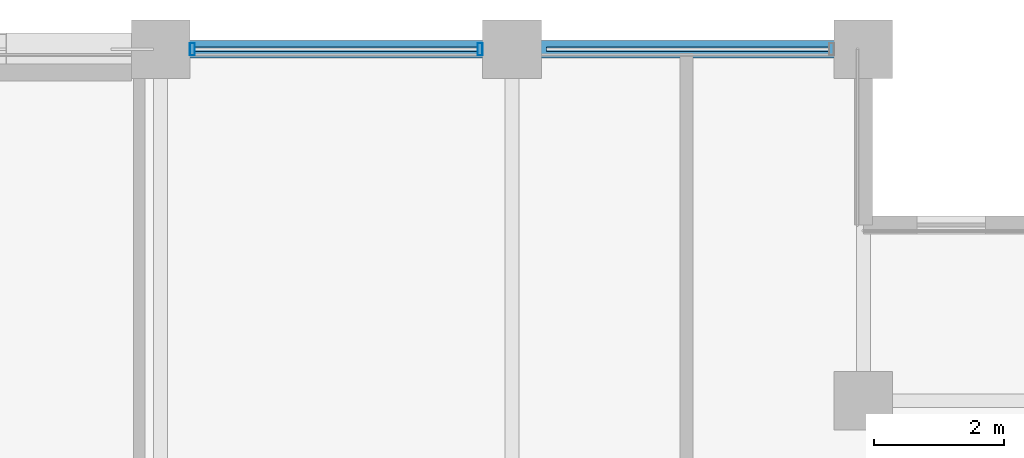
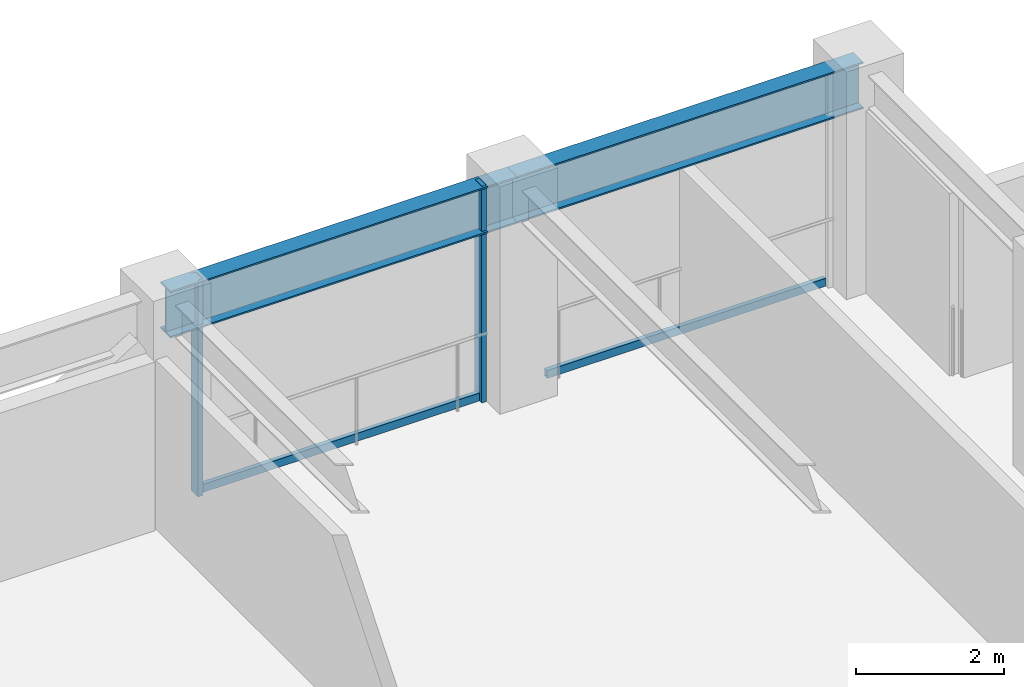
# One storey, part 21 of 36: 4 members, 2 beams, 1 element without a shape of its own.
"""IFC4 building model written with IfcOpenShell, lengths in metres."""

from ifc_helpers import new_model, si_unit, direction, frame, origin, origin_2d, place, context, subcontext, project, spatial, hollow_rectangle, i_section, extrude, material, layer, layer_set, material_profile, profile_set, type_object, element, aggregate, save


model = new_model("IFC4")

# Units and contexts
model_context = context("Model", 3, precision=1e-05, world=origin(), true_north=direction((0.0, 1.0)))
body_context = subcontext(model_context, "Body", "Model", "MODEL_VIEW")
ifc_project = project(units=[si_unit("LENGTHUNIT", "METRE"), si_unit("AREAUNIT", "SQUARE_METRE"), si_unit("VOLUMEUNIT", "CUBIC_METRE"), si_unit("PLANEANGLEUNIT", "RADIAN"), si_unit("MASSUNIT", "GRAM", prefix="KILO")], contexts=[model_context])

# Site, building, storey
site_placement = place(None, origin())
site = spatial("IfcSite", under=ifc_project, at=site_placement, CompositionType="ELEMENT")
building_placement = place(site_placement, origin())
building = spatial("IfcBuilding", under=site, at=building_placement, Name="Surkhivell Harbour Commons", CompositionType="ELEMENT")
storey_placement = place(building_placement, frame((0.0, 0.0, 171.0)))
storey = spatial("IfcBuildingStorey", under=building, at=storey_placement, Name="L44", CompositionType="ELEMENT", Elevation=171.0)

# Beams
ifc_material_1 = material(Name="Steel S355", Category="steel")
ifc_material_profile_1 = material_profile(ifc_material_1, i_section(OverallWidth=0.26806640625, OverallDepth=0.77001953125, WebThickness=0.015625, FlangeThickness=0.025390625, at=origin_2d()), Name="UB762x267x197")
ifc_profile_set_1 = profile_set([ifc_material_profile_1], Name="Steel S355")
beam_type = type_object("IfcBeamType", Name="BM-SPN-762", PredefinedType="SPANDREL", material=ifc_profile_set_1)
beam_1_placement = place(storey_placement, frame((5.39990234375, 25.89990234375, 3.18505859375), z_axis=(1.0, 0.0, 0.0), x_axis=(0.0, 1.0, 0.0)))
element("IfcBeam", 1, at=beam_1_placement, inside=storey, type_object=beam_type, Name="L44 Tube Spandrel (5.4,25.9)", PredefinedType="SPANDREL", context=body_context, shape_type="SweptSolid", body=[
    extrude(i_section(OverallWidth=0.26806640625, OverallDepth=0.77001953125, WebThickness=0.015625, FlangeThickness=0.025390625, at=origin_2d()), origin(), (0.0, 0.0, 1.0), 5.400146484375),
])
beam_2_placement = place(storey_placement, frame((10.800048828125, 25.89990234375, 3.18505859375), z_axis=(1.0, 0.0, 0.0), x_axis=(0.0, 1.0, 0.0)))
element("IfcBeam", 2, at=beam_2_placement, inside=storey, type_object=beam_type, Name="L44 Tube Spandrel (10.8,25.9)", PredefinedType="SPANDREL", context=body_context, shape_type="SweptSolid", body=[
    extrude(i_section(OverallWidth=0.26806640625, OverallDepth=0.77001953125, WebThickness=0.015625, FlangeThickness=0.025390625, at=origin_2d()), origin(), (0.0, 0.0, 1.0), 5.39990234375),
])

# Curtain wall, members
ifc_material_2 = material(Name="Anodised pale-metal aluminium and insulated glazing", Category="aluminium")
ifc_layer = layer(ifc_material_2, 0.18994140625)
ifc_layer_set = layer_set([ifc_layer], Name="Anodised pale-metal aluminium and insulated glazing")
curtain_wall_type = type_object("IfcCurtainWallType", Name="CW-SYS-Z3", PredefinedType="NOTDEFINED", material=ifc_layer_set)
curtain_wall_placement = place(storey_placement, origin())
curtain_wall = element("IfcCurtainWall", 3, at=curtain_wall_placement, inside=storey, type_object=curtain_wall_type, Name="L44 Curtain Wall CW-L44-E07S1", PredefinedType="NOTDEFINED")
ifc_material_3 = material(Name="Anodised pale-metal aluminium alloy 6063-T6", Category="aluminium")
ifc_material_profile_2 = material_profile(ifc_material_3, hollow_rectangle(XDim=0.074951171875, YDim=0.18994140625, WallThickness=0.00390625, at=origin_2d()), Name="ALU-MULL-75x190")
ifc_profile_set_2 = profile_set([ifc_material_profile_2], Name="Anodised pale-metal aluminium alloy 6063-T6")
member_type_1 = type_object("IfcMemberType", Name="CWM-190", PredefinedType="MULLION", material=ifc_profile_set_2)
member_1_placement = place(storey_placement, frame((10.310546875, 25.89990234375, 0.0), z_axis=(0.0, 0.0, 1.0), x_axis=(-1.0, 0.0, 0.0)))
member_1 = element("IfcMember", 4, at=member_1_placement, type_object=member_type_1, Name="CW-Z3 mullion 2", PredefinedType="MULLION", context=body_context, shape_type="SweptSolid", body=[
    extrude(hollow_rectangle(XDim=0.074951171875, YDim=0.18994140625, WallThickness=0.00390625, at=origin_2d()), origin(), (0.0, 0.0, 1.0), 3.570068359375),
])
member_2_placement = place(storey_placement, frame((5.889404296875, 25.89990234375, 0.0), z_axis=(0.0, 0.0, 1.0), x_axis=(-1.0, 0.0, 0.0)))
member_2 = element("IfcMember", 5, at=member_2_placement, type_object=member_type_1, Name="CW-Z3 mullion 3", PredefinedType="MULLION", context=body_context, shape_type="SweptSolid", body=[
    extrude(hollow_rectangle(XDim=0.074951171875, YDim=0.18994140625, WallThickness=0.00390625, at=origin_2d()), origin(), (0.0, 0.0, 1.0), 3.570068359375),
])
ifc_material_4 = material(Name="Champagne anodised aluminium alloy 6063-T6", Category="aluminium")
ifc_material_profile_3 = material_profile(ifc_material_4, hollow_rectangle(XDim=0.070068359375, YDim=0.1298828125, WallThickness=0.00341796875, at=origin_2d()), Name="ALU-TRAN-70x130")
ifc_profile_set_3 = profile_set([ifc_material_profile_3], Name="Champagne anodised aluminium alloy 6063-T6")
member_type_2 = type_object("IfcMemberType", Name="CWT-130", PredefinedType="USERDEFINED", material=ifc_profile_set_3)
member_3_placement = place(storey_placement, frame((15.673095703125, 25.89990234375, 0.06494140625), z_axis=(-1.0, 0.0, 0.0), x_axis=(0.0, -1.0, 0.0)))
member_3 = element("IfcMember", 6, at=member_3_placement, type_object=member_type_2, Name="CW-Z3 transom 1.1", ObjectType="TRANSOM", PredefinedType="USERDEFINED", context=body_context, shape_type="SweptSolid", body=[
    extrude(hollow_rectangle(XDim=0.070068359375, YDim=0.1298828125, WallThickness=0.00341796875, at=origin_2d()), origin(), (0.0, 0.0, 1.0), 4.34619140625),
])
member_4_placement = place(storey_placement, frame((10.27294921875, 25.89990234375, 0.06494140625), z_axis=(-1.0, 0.0, 0.0), x_axis=(0.0, -1.0, 0.0)))
member_4 = element("IfcMember", 7, at=member_4_placement, type_object=member_type_2, Name="CW-Z3 transom 2.1", ObjectType="TRANSOM", PredefinedType="USERDEFINED", context=body_context, shape_type="SweptSolid", body=[
    extrude(hollow_rectangle(XDim=0.070068359375, YDim=0.1298828125, WallThickness=0.00341796875, at=origin_2d()), origin(), (0.0, 0.0, 1.0), 4.345947265625),
])
aggregate(curtain_wall, [member_3, member_1, member_2, member_4])

save(model, "model.ifc")
